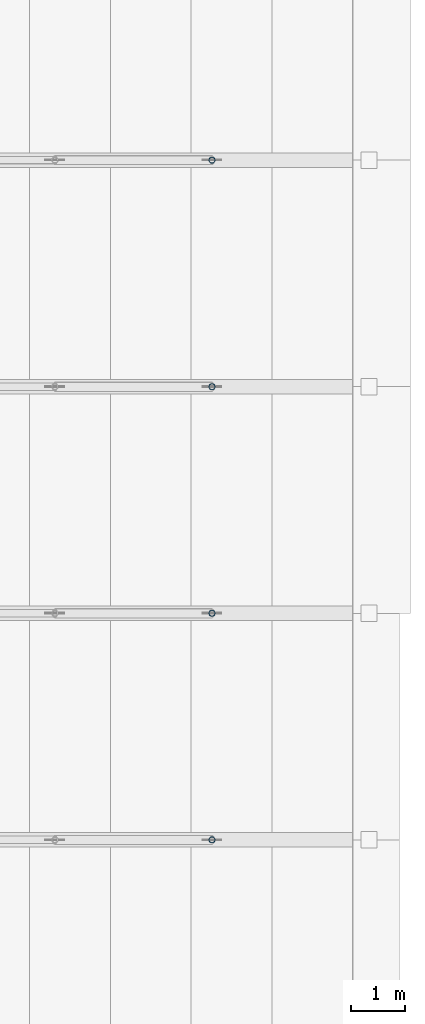
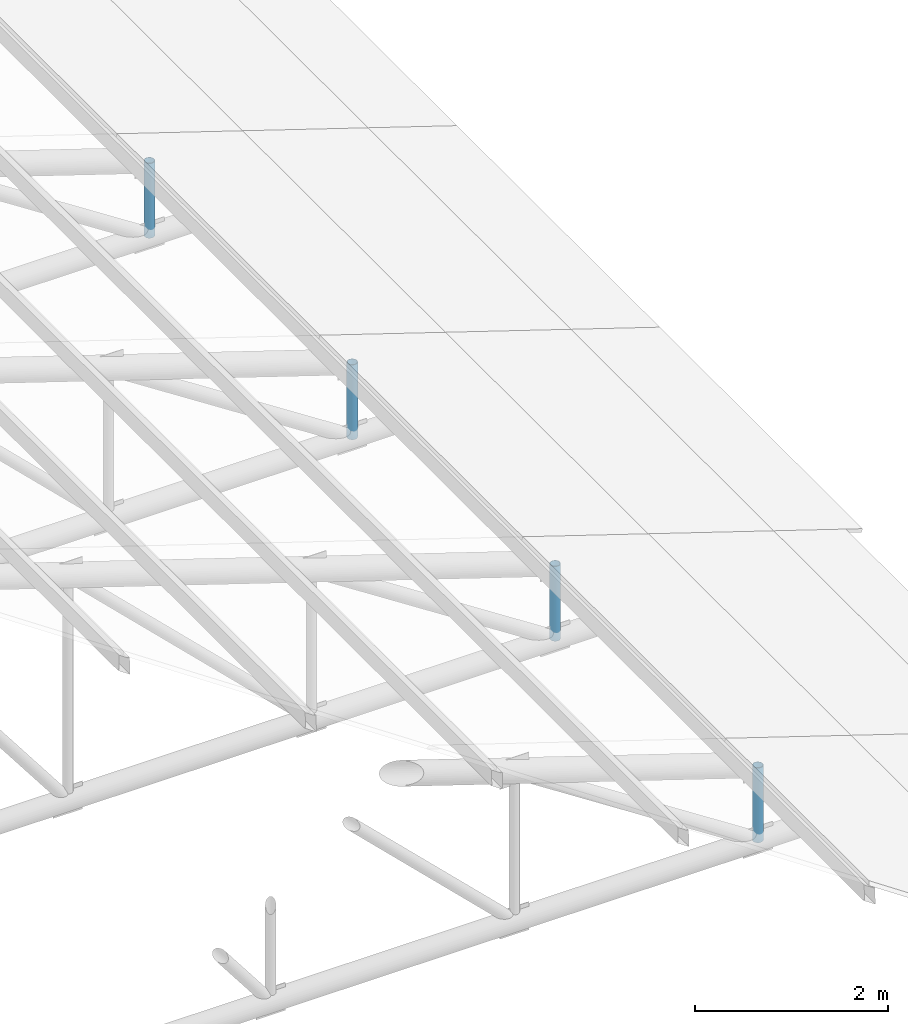
# One storey, part 63 of 95: 4 members.
"""IFC4 building model written with IfcOpenShell, lengths in metres."""

from ifc_helpers import new_model, si_unit, direction, frame, origin, origin_2d, place, context, subcontext, project, spatial, hollow_circle, extrude, material, material_profile, profile_set, type_object, element, save


model = new_model("IFC4")

# Units and contexts
model_context = context("Model", 3, precision=1e-05, world=origin(), true_north=direction((0.0, 1.0)))
body_context = subcontext(model_context, "Body", "Model", "MODEL_VIEW")
ifc_project = project(units=[si_unit("LENGTHUNIT", "METRE"), si_unit("AREAUNIT", "SQUARE_METRE"), si_unit("VOLUMEUNIT", "CUBIC_METRE"), si_unit("PLANEANGLEUNIT", "RADIAN"), si_unit("MASSUNIT", "GRAM", prefix="KILO")], contexts=[model_context])

# Site, building, storey
site_placement = place(None, origin())
site = spatial("IfcSite", under=ifc_project, at=site_placement, CompositionType="ELEMENT")
building_placement = place(site_placement, origin())
building = spatial("IfcBuilding", under=site, at=building_placement, Name="Kiln Court Media Centre", CompositionType="ELEMENT")
storey_placement = place(building_placement, frame((0.0, 0.0, 24.60009765625)))
storey = spatial("IfcBuildingStorey", under=building, at=storey_placement, Name="L05", CompositionType="ELEMENT", Elevation=24.60009765625)

# Members
ifc_material = material(Name="Steel ASTM A500 Gr C", Category="steel")
ifc_material_profile = material_profile(ifc_material, hollow_circle(Radius=0.05712890625, WallThickness=0.0048828125, at=origin_2d()), Name="CHS 114.3x5.0")
ifc_profile_set = profile_set([ifc_material_profile], Name="Steel ASTM A500 Gr C")
member_type = type_object("IfcMemberType", Name="Steel ASTM A500 Gr C CHS 114.3x5.0 truss web", PredefinedType="BRACE", material=ifc_profile_set)
for number, where, z_axis, x_axis, name in (
    (1, (55.137451171875, 33.60009765625, -0.013916015625), (0.0, 0.0, 1.0), (1.0, 0.0, 0.0), "foyer truss FT-03 post 7 truss web"),
    (2, (55.137451171875, 37.800048828125, -0.013916015625), (0.0, 0.0, 1.0), (1.0, 0.0, 0.0), "foyer truss FT-04 post 7 truss web"),
    (3, (55.137451171875, 42.0, -0.013916015625), (0.0, 0.0, 1.0), (1.0, 0.0, 0.0), "foyer truss FT-05 post 7 truss web"),
    (4, (55.137451171875, 46.199951171875, -0.013916015625), (0.0, 0.0, 1.0), (1.0, 0.0, 0.0), "foyer truss FT-06 post 7 truss web"),
):
    element("IfcMember", number, at=place(storey_placement, frame(where, z_axis=z_axis, x_axis=x_axis)), inside=storey, type_object=member_type, Name=name, PredefinedType="BRACE", context=body_context, shape_type="SweptSolid", body=[
        extrude(hollow_circle(Radius=0.05712890625, WallThickness=0.0048828125, at=origin_2d()), origin(), (0.0, 0.0, 1.0), 0.946533203125),
    ])

save(model, "model.ifc")
